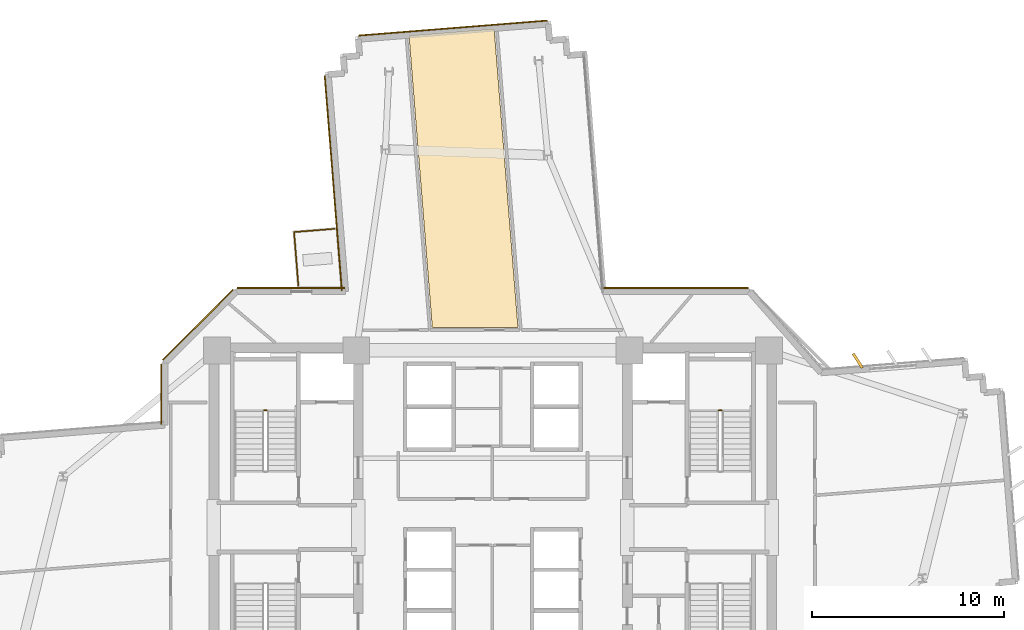
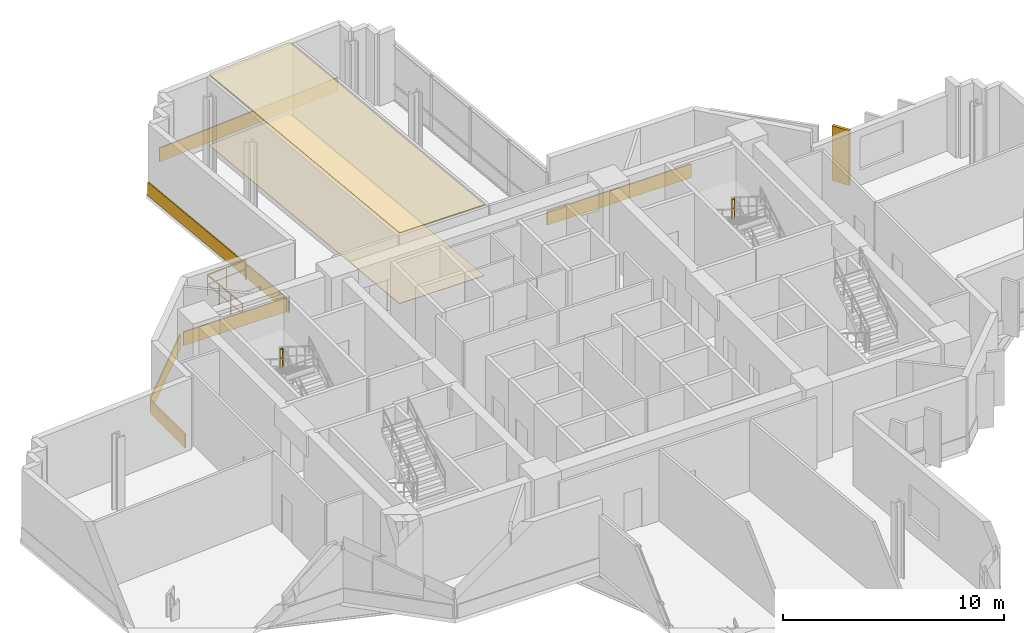
# One storey, part 14 of 15: 9 coverings, 4 railings.
"""IFC4 building model written with IfcOpenShell, lengths in metres."""

from ifc_helpers import new_model, si_unit, direction, frame, origin, origin_2d, place, context, subcontext, project, spatial, polyline, rectangle, outline, extrude, source, transform, mapped, material, layer, layer_set, type_object, element, save


model = new_model("IFC4")

# Units and contexts
model_context = context("Model", 3, precision=1e-05, world=origin(), true_north=direction((0.0, 1.0)))
body_context = subcontext(model_context, "Body", "Model", "MODEL_VIEW")
ifc_project = project(units=[si_unit("LENGTHUNIT", "METRE"), si_unit("AREAUNIT", "SQUARE_METRE"), si_unit("VOLUMEUNIT", "CUBIC_METRE"), si_unit("PLANEANGLEUNIT", "RADIAN"), si_unit("MASSUNIT", "GRAM", prefix="KILO")], contexts=[model_context])

# Site, building, storey
site_placement = place(None, origin())
site = spatial("IfcSite", under=ifc_project, at=site_placement, CompositionType="ELEMENT")
building_placement = place(site_placement, origin())
building = spatial("IfcBuilding", under=site, at=building_placement, Name="Zahravan Cultural Tower", CompositionType="ELEMENT")
storey_placement = place(building_placement, frame((0.0, 0.0, 87.89990234375)))
storey = spatial("IfcBuildingStorey", under=building, at=storey_placement, Name="L19", CompositionType="ELEMENT", Elevation=87.89990234375)

# Coverings
ifc_material_1 = material(Name="Acoustic mineral fibreboard")
ifc_layer_1 = layer(ifc_material_1, 0.0400390625)
ifc_layer_set_1 = layer_set([ifc_layer_1], Name="Acoustic mineral fibreboard")
covering_type_1 = type_object("IfcCoveringType", Name="COV-CEIL-AC20", PredefinedType="CEILING", material=ifc_layer_set_1)
covering_1_placement = place(storey_placement, frame((0.0, 0.0, 3.91015625)))
element("IfcCovering", 1, at=covering_1_placement, inside=storey, type_object=covering_type_1, Name="L19 Acoustic Suspended Ceiling", PredefinedType="CEILING", context=body_context, shape_type="SweptSolid", body=[
    extrude(outline(polyline([(31.642822265625, 52.574462890625), (32.853271484375, 37.39990234375), (37.307373046875, 37.39990234375), (36.06884765625, 52.927490234375), (31.642822265625, 52.574462890625)])), origin(), (0.0, 0.0, 1.0), 0.0400390625),
])
ifc_material_2 = material(Name="Terrazzo flooring")
ifc_layer_2 = layer(ifc_material_2, 0.02490234375)
ifc_layer_set_2 = layer_set([ifc_layer_2], Name="Terrazzo flooring")
covering_type_2 = type_object("IfcCoveringType", Name="COV-FLR-TZ25", PredefinedType="FLOORING", material=ifc_layer_set_2)
covering_2_placement = place(storey_placement, origin())
element("IfcCovering", 2, at=covering_2_placement, inside=storey, type_object=covering_type_2, Name="L19 Polished Terrazzo Flooring", PredefinedType="FLOORING", context=body_context, shape_type="SweptSolid", body=[
    extrude(outline(polyline([(31.642822265625, 52.574462890625), (32.853271484375, 37.39990234375), (37.307373046875, 37.39990234375), (36.06884765625, 52.927490234375), (31.642822265625, 52.574462890625)])), origin(), (0.0, 0.0, 1.0), 0.025146484375),
])

# Railings
ifc_material_3 = material(Name="Steel ASTM A572 Grade 50", Category="steel")
railing_type_1 = type_object("IfcRailingType", Name="RL-BAL-1150", PredefinedType="BALUSTRADE", material=ifc_material_3)
railing_1_placement = place(storey_placement, frame((25.666259765625, 42.357177734375, 0.0)))
element("IfcRailing", 3, at=railing_1_placement, inside=storey, type_object=railing_type_1, Name="L19 Edge Balustrade GRD-TR-L19-NW-01", PredefinedType="BALUSTRADE", context=body_context, shape_type="SweptSolid", body=[
    extrude(rectangle(XDim=0.05, YDim=0.05, at=origin_2d()), frame((0.0, 0.0, 1.125), z_axis=(0.996842940855, 0.079398685551, 0.0), x_axis=(-0.079398685551, 0.996842940855, 0.0)), (0.0, 0.0, 1.0), 2.10009765625),
    extrude(rectangle(XDim=0.032, YDim=0.032, at=origin_2d()), frame((0.0, 0.0, 0.597900390625), z_axis=(0.996842940855, 0.079398685551, 0.0), x_axis=(-0.079398685551, 0.996842940855, 0.0)), (0.0, 0.0, 1.0), 2.10009765625),
    extrude(rectangle(XDim=0.04, YDim=0.04, at=origin_2d()), origin(), (0.0, 0.0, 1.0), 1.14990234375),
    extrude(rectangle(XDim=0.04, YDim=0.04, at=origin_2d()), frame((1.046875, 0.08349609375, 0.0)), (0.0, 0.0, 1.0), 1.14990234375),
    extrude(rectangle(XDim=0.04, YDim=0.04, at=origin_2d()), frame((2.093505859375, 0.166748046875, 0.0)), (0.0, 0.0, 1.0), 1.14990234375),
])
railing_2_placement = place(storey_placement, frame((25.887939453125, 39.580078125, 0.0)))
element("IfcRailing", 4, at=railing_2_placement, inside=storey, type_object=railing_type_1, Name="L19 Edge Balustrade GRD-TR-L19-NW-02", PredefinedType="BALUSTRADE", context=body_context, shape_type="SweptSolid", body=[
    extrude(rectangle(XDim=0.05, YDim=0.05, at=origin_2d()), frame((0.0, 0.0, 1.125), z_axis=(-0.079571068968, 0.996829195491, 0.0), x_axis=(-0.996829195491, -0.079571068968, 0.0)), (0.0, 0.0, 1.0), 2.785888671875),
    extrude(rectangle(XDim=0.032, YDim=0.032, at=origin_2d()), frame((0.0, 0.0, 0.597900390625), z_axis=(-0.079571068968, 0.996829195491, 0.0), x_axis=(-0.996829195491, -0.079571068968, 0.0)), (0.0, 0.0, 1.0), 2.785888671875),
    extrude(rectangle(XDim=0.04, YDim=0.04, at=origin_2d()), origin(), (0.0, 0.0, 1.0), 1.14990234375),
    extrude(rectangle(XDim=0.04, YDim=0.04, at=origin_2d()), frame((-0.073974609375, 0.92578125, 0.0)), (0.0, 0.0, 1.0), 1.14990234375),
    extrude(rectangle(XDim=0.04, YDim=0.04, at=origin_2d()), frame((-0.147705078125, 1.851318359375, 0.0)), (0.0, 0.0, 1.0), 1.14990234375),
    extrude(rectangle(XDim=0.04, YDim=0.04, at=origin_2d()), frame((-0.2216796875, 2.777099609375, 0.0)), (0.0, 0.0, 1.0), 1.14990234375),
])
railing_type_2 = type_object("IfcRailingType", Name="RL-STAIR-GRD1150", PredefinedType="BALUSTRADE", material=ifc_material_3)
for number, where, name in (
    (5, (24.25, 33.080078125, 2.10009765625), "L19 ST-W1 stair guard 2"),
    (6, (47.89990234375, 33.080078125, 2.10009765625), "L19 ST-E1 stair guard 2"),
):
    element("IfcRailing", number, at=place(storey_placement, frame(where)), inside=storey, type_object=railing_type_2, Name=name, PredefinedType="BALUSTRADE", context=body_context, shape_type="SweptSolid", body=[
        extrude(rectangle(XDim=0.05, YDim=0.05, at=origin_2d()), frame((0.0, 0.0, 1.0751953125), z_axis=(-1.0, 0.0, 0.0), x_axis=(0.0, -1.0, 0.0)), (0.0, 0.0, 1.0), 0.14990234375),
        extrude(rectangle(XDim=0.032, YDim=0.032, at=origin_2d()), frame((0.0, 0.0, 0.572021484375), z_axis=(-1.0, 0.0, 0.0), x_axis=(0.0, -1.0, 0.0)), (0.0, 0.0, 1.0), 0.14990234375),
        extrude(rectangle(XDim=0.04, YDim=0.04, at=origin_2d()), origin(), (0.0, 0.0, 1.0), 1.10009765625),
        extrude(rectangle(XDim=0.04, YDim=0.04, at=origin_2d()), frame((-0.14990234375, 0.0, 0.0)), (0.0, 0.0, 1.0), 1.10009765625),
    ])

# Coverings
ifc_material_4 = material(Name="Terracotta ceramic cladding", Category="masonry")
ifc_layer_3 = layer(ifc_material_4, 0.06005859375)
ifc_layer_set_3 = layer_set([ifc_layer_3], Name="Terracotta ceramic cladding")
covering_type_3 = type_object("IfcCoveringType", Name="COV-CLAD-TC60", PredefinedType="CLADDING", material=ifc_layer_set_3)
shared_shape_1 = source(origin(), body_context, "Body", "SweptSolid", [
    extrude(rectangle(XDim=9.820068359375, YDim=0.06005859375, at=origin_2d()), origin(), (0.0, 0.0, 1.0), 0.760009765625),
])
covering_3_placement = place(storey_placement, frame((33.929443359375, 52.962646484375, 0.02001953125), z_axis=(0.0, 0.0, 1.0), x_axis=(0.996834624954, 0.079503021908, 0.0)))
element("IfcCovering", 7, at=covering_3_placement, inside=storey, type_object=covering_type_3, Name="L19 Terracotta Spandrel Cladding 46", PredefinedType="CLADDING", context=body_context, shape_type="MappedRepresentation", body=[
    mapped(shared_shape_1, transform((0.0, 0.0, 0.0), x_axis=(1.0, 0.0, 0.0), y_axis=(0.0, 1.0, 0.0), z_axis=(0.0, 0.0, 1.0), scale=1.0)),
])
shared_shape_2 = source(origin(), body_context, "Body", "SweptSolid", [
    extrude(rectangle(XDim=5.157958984375, YDim=0.06005859375, at=origin_2d()), origin(), (0.0, 0.0, 1.0), 0.760009765625),
])
covering_4_placement = place(storey_placement, frame((20.668212890625, 37.53173828125, 0.02001953125), z_axis=(0.0, 0.0, 1.0), x_axis=(0.707106781187, 0.707106781187, 0.0)))
element("IfcCovering", 8, at=covering_4_placement, inside=storey, type_object=covering_type_3, Name="L19 Terracotta Spandrel Cladding 39", PredefinedType="CLADDING", context=body_context, shape_type="MappedRepresentation", body=[
    mapped(shared_shape_2, transform((0.0, 0.0, 0.0), x_axis=(1.0, 0.0, 0.0), y_axis=(0.0, 1.0, 0.0), z_axis=(0.0, 0.0, 1.0), scale=1.0)),
])
shared_shape_3 = source(origin(), body_context, "Body", "SweptSolid", [
    extrude(rectangle(XDim=0.8798828125, YDim=0.139892578125, at=origin_2d()), origin(), (0.0, 0.0, 1.0), 3.030029296875),
])
covering_5_placement = place(storey_placement, frame((54.973876953125, 35.666015625, 0.05029296875), z_axis=(0.0, 0.0, 1.0), x_axis=(-0.538182511035, 0.842828324641, 0.0)))
element("IfcCovering", 9, at=covering_5_placement, inside=storey, type_object=covering_type_3, Name="L19 Herringbone Terracotta Fin 01", PredefinedType="CLADDING", context=body_context, shape_type="MappedRepresentation", body=[
    mapped(shared_shape_3, transform((0.0, 0.0, 0.0), x_axis=(1.0, 0.0, 0.0), y_axis=(0.0, 1.0, 0.0), z_axis=(0.0, 0.0, 1.0), scale=1.0)),
])
shared_shape_4 = source(origin(), body_context, "Body", "SweptSolid", [
    extrude(rectangle(XDim=3.12158203125, YDim=0.06005859375, at=origin_2d()), origin(), (0.0, 0.0, 1.0), 0.760009765625),
])
covering_6_placement = place(storey_placement, frame((18.7548828125, 33.931396484375, 0.02001953125), z_axis=(0.0, 0.0, 1.0), x_axis=(0.0, 1.0, 0.0)))
element("IfcCovering", 10, at=covering_6_placement, inside=storey, type_object=covering_type_3, Name="L19 Terracotta Spandrel Cladding 38", PredefinedType="CLADDING", context=body_context, shape_type="MappedRepresentation", body=[
    mapped(shared_shape_4, transform((0.0, 0.0, 0.0), x_axis=(1.0, 0.0, 0.0), y_axis=(0.0, 1.0, 0.0), z_axis=(0.0, 0.0, 1.0), scale=1.0)),
])
shared_shape_5 = source(origin(), body_context, "Body", "SweptSolid", [
    extrude(rectangle(XDim=5.5830078125, YDim=0.06005859375, at=origin_2d()), origin(), (0.0, 0.0, 1.0), 0.760009765625),
])
covering_7_placement = place(storey_placement, frame((25.49951171875, 39.445068359375, 0.02001953125), z_axis=(0.0, 0.0, 1.0), x_axis=(1.0, 0.0, 0.0)))
element("IfcCovering", 11, at=covering_7_placement, inside=storey, type_object=covering_type_3, Name="L19 Terracotta Spandrel Cladding 40", PredefinedType="CLADDING", context=body_context, shape_type="MappedRepresentation", body=[
    mapped(shared_shape_5, transform((0.0, 0.0, 0.0), x_axis=(1.0, 0.0, 0.0), y_axis=(0.0, 1.0, 0.0), z_axis=(0.0, 0.0, 1.0), scale=1.0)),
])
shared_shape_6 = source(origin(), body_context, "Body", "SweptSolid", [
    extrude(rectangle(XDim=11.22998046875, YDim=0.06005859375, at=origin_2d()), origin(), (0.0, 0.0, 1.0), 0.760009765625),
])
covering_8_placement = place(storey_placement, frame((27.706298828125, 44.892333984375, 0.02001953125), z_axis=(0.0, 0.0, 1.0), x_axis=(-0.079503021908, 0.996834624954, 0.0)))
element("IfcCovering", 12, at=covering_8_placement, inside=storey, type_object=covering_type_3, Name="L19 Terracotta Spandrel Cladding 41", PredefinedType="CLADDING", context=body_context, shape_type="MappedRepresentation", body=[
    mapped(shared_shape_6, transform((0.0, 0.0, 0.0), x_axis=(1.0, 0.0, 0.0), y_axis=(0.0, 1.0, 0.0), z_axis=(0.0, 0.0, 1.0), scale=1.0)),
])
shared_shape_7 = source(origin(), body_context, "Body", "SweptSolid", [
    extrude(rectangle(XDim=7.53857421875, YDim=0.06005859375, at=origin_2d()), origin(), (0.0, 0.0, 1.0), 0.760009765625),
])
covering_9_placement = place(storey_placement, frame((45.522705078125, 39.445068359375, 0.02001953125), z_axis=(0.0, 0.0, 1.0), x_axis=(1.0, 0.0, 0.0)))
element("IfcCovering", 13, at=covering_9_placement, inside=storey, type_object=covering_type_3, Name="L19 Terracotta Spandrel Cladding 51", PredefinedType="CLADDING", context=body_context, shape_type="MappedRepresentation", body=[
    mapped(shared_shape_7, transform((0.0, 0.0, 0.0), x_axis=(1.0, 0.0, 0.0), y_axis=(0.0, 1.0, 0.0), z_axis=(0.0, 0.0, 1.0), scale=1.0)),
])

save(model, "model.ifc")
